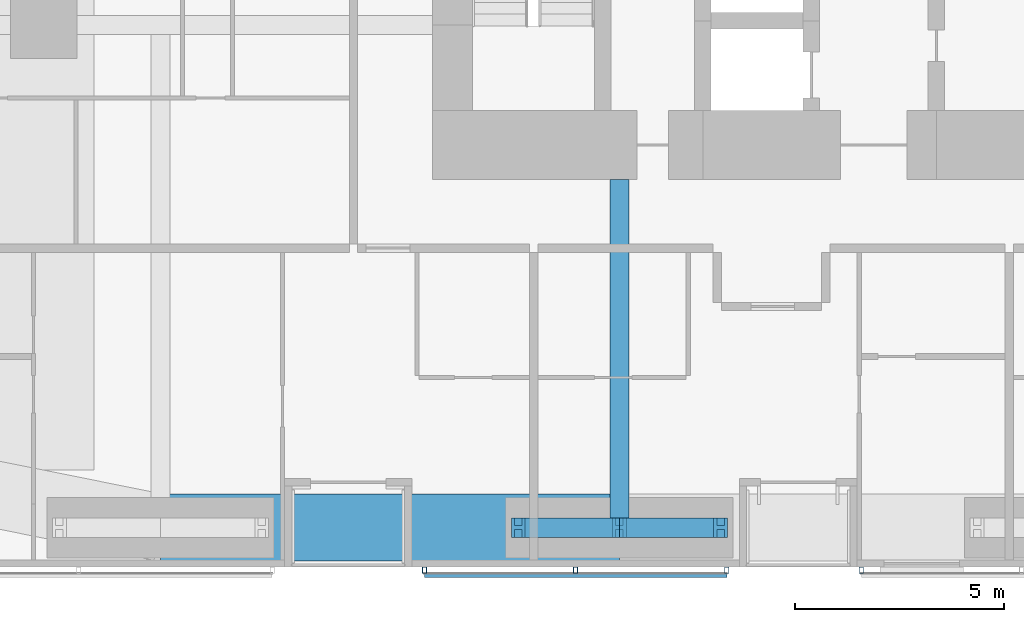
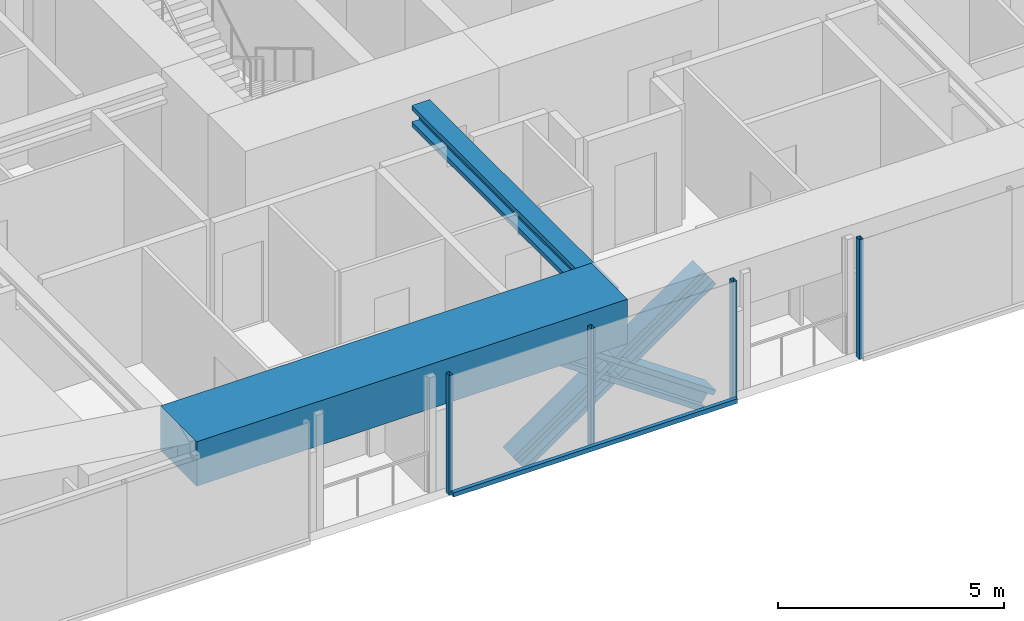
# One storey, part 4 of 23: 9 members, 2 beams, 2 elements without a shape of their own.
"""IFC4 building model written with IfcOpenShell, lengths in metres."""

from ifc_helpers import new_model, si_unit, direction, frame, origin, origin_2d, place, context, subcontext, project, spatial, rectangle, hollow_rectangle, i_section, extrude, material, material_profile, profile_set, type_object, element, aggregate, save


model = new_model("IFC4")

# Units and contexts
model_context = context("Model", 3, precision=1e-05, world=origin(), true_north=direction((0.0, 1.0)))
body_context = subcontext(model_context, "Body", "Model", "MODEL_VIEW")
ifc_project = project(units=[si_unit("LENGTHUNIT", "METRE"), si_unit("AREAUNIT", "SQUARE_METRE"), si_unit("VOLUMEUNIT", "CUBIC_METRE"), si_unit("PLANEANGLEUNIT", "RADIAN"), si_unit("MASSUNIT", "GRAM", prefix="KILO")], contexts=[model_context])

# Site, building, storey
site_placement = place(None, origin())
site = spatial("IfcSite", under=ifc_project, at=site_placement, CompositionType="ELEMENT")
building_placement = place(site_placement, origin())
building = spatial("IfcBuilding", under=site, at=building_placement, Name="Jalousie Tower", CompositionType="ELEMENT")
storey_placement = place(building_placement, frame((0.0, 0.0, 31.050048828125)))
storey = spatial("IfcBuildingStorey", under=building, at=storey_placement, Name="L07", CompositionType="ELEMENT", Elevation=31.050048828125)

# Beam
ifc_material_1 = material(Name="Steel ASTM A992 Grade 50", Category="steel")
ifc_material_profile_1 = material_profile(ifc_material_1, i_section(OverallWidth=0.45458984375, OverallDepth=0.569091796875, WebThickness=0.077880859375, FlangeThickness=0.124755859375, at=origin_2d()), Name="W14X730")
ifc_profile_set_1 = profile_set([ifc_material_profile_1], Name="Steel ASTM A992 Grade 50")
beam_type_1 = type_object("IfcBeamType", Name="LEAN COLLECTOR W14X730", PredefinedType="BEAM", material=ifc_profile_set_1)
beam_1_placement = place(storey_placement, frame((24.0, 0.949951171875, 2.825439453125), z_axis=(0.0, 1.0, 0.0), x_axis=(-1.0, 0.0, 0.0)))
element("IfcBeam", 1, at=beam_1_placement, inside=storey, type_object=beam_type_1, Name="Lean collector under L08", PredefinedType="BEAM", context=body_context, shape_type="SweptSolid", body=[
    extrude(i_section(OverallWidth=0.45458984375, OverallDepth=0.569091796875, WebThickness=0.077880859375, FlangeThickness=0.124755859375, at=origin_2d()), origin(), (0.0, 0.0, 1.0), 8.35009765625),
])

# Members
ifc_material_2 = material(Name="Steel ASTM A992 Grade 50", Category="steel")
ifc_material_profile_2 = material_profile(ifc_material_2, i_section(OverallWidth=0.472412109375, OverallDepth=0.5791015625, WebThickness=0.094970703125, FlangeThickness=0.1298828125, at=origin_2d()), Name="W14X808")
ifc_profile_set_2 = profile_set([ifc_material_profile_2], Name="Steel ASTM A992 Grade 50")
member_type_1 = type_object("IfcMemberType", Name="PERIMETER BRACE W14X808", PredefinedType="BRACE", material=ifc_profile_set_2)
for number, where, z_axis, x_axis, name in (
    (2, (21.574951171875, 0.949951171875, -0.60009765625), (0.822800062329, 0.0, 0.568330940062), (0.0, 1.0, 0.0), "Perimeter brace 03 L07 part 1"),
    (3, (24.0, 0.949951171875, 1.074951171875), (0.822800062329, 0.0, 0.568330940062), (0.0, 1.0, 0.0), "Perimeter brace 03 L07 part 2"),
    (4, (26.425048828125, 0.949951171875, -0.60009765625), (-0.822800062329, 0.0, 0.568330940062), (0.0, -1.0, 0.0), "Perimeter brace 03 L07 part 3"),
    (5, (24.0, 0.949951171875, 1.074951171875), (-0.822800062329, 0.0, 0.568330940062), (0.0, -1.0, 0.0), "Perimeter brace 03 L07 part 4"),
):
    element("IfcMember", number, at=place(storey_placement, frame(where, z_axis=z_axis, x_axis=x_axis)), inside=storey, type_object=member_type_1, Name=name, PredefinedType="BRACE", context=body_context, shape_type="SweptSolid", body=[
        extrude(i_section(OverallWidth=0.472412109375, OverallDepth=0.5791015625, WebThickness=0.094970703125, FlangeThickness=0.1298828125, at=origin_2d()), origin(), (0.0, 0.0, 1.0), 2.947265625),
    ])

# Beam
ifc_material_3 = material(Name="Concrete f'c 40 MPa", Category="concrete")
ifc_material_profile_3 = material_profile(ifc_material_3, rectangle(XDim=1.60009765625, YDim=1.199951171875, at=origin_2d()), Name="RC 1600x1200")
ifc_profile_set_3 = profile_set([ifc_material_profile_3], Name="Concrete f'c 40 MPa")
beam_type_2 = type_object("IfcBeamType", Name="RC BEAM 1600x1200", PredefinedType="BEAM", material=ifc_profile_set_3)
beam_2_placement = place(storey_placement, frame((13.0, 0.949951171875, 2.75), z_axis=(1.0, 0.0, 0.0), x_axis=(0.0, 1.0, 0.0)))
element("IfcBeam", 6, at=beam_2_placement, inside=storey, type_object=beam_type_2, Name="Edge band beam 02-03 under L08", PredefinedType="BEAM", context=body_context, shape_type="SweptSolid", body=[
    extrude(rectangle(XDim=1.60009765625, YDim=1.199951171875, at=origin_2d()), origin(), (0.0, 0.0, 1.0), 11.0),
])

# Curtain wall, members
ifc_material_4 = material(Name="Perforated aluminium sheet", Category="aluminium")
curtain_wall_type = type_object("IfcCurtainWallType", Name="SOLAR SCREEN SS-1", PredefinedType="USERDEFINED", material=ifc_material_4)
curtain_wall_1_placement = place(storey_placement, origin())
curtain_wall_1 = element("IfcCurtainWall", 7, at=curtain_wall_1_placement, inside=storey, type_object=curtain_wall_type, Name="Solar screen L07", ObjectType="SOLAR SCREEN SS-1", PredefinedType="USERDEFINED")
ifc_material_5 = material(Name="Steel ASTM A500 Grade C", Category="steel")
ifc_material_profile_4 = material_profile(ifc_material_5, hollow_rectangle(XDim=0.1015625, YDim=0.15234375, WallThickness=0.00634765625, at=origin_2d()), Name="HSS6X4X1/4")
ifc_profile_set_4 = profile_set([ifc_material_profile_4], Name="Steel ASTM A500 Grade C")
member_type_2 = type_object("IfcMemberType", Name="SOLAR SCREEN SS-1 MULLION", PredefinedType="MULLION", material=ifc_profile_set_4)
member_1_placement = place(storey_placement, frame((19.324951171875, -0.0712890625, -0.1201171875), z_axis=(0.0, 0.0, 1.0), x_axis=(1.0, 0.0, 0.0)))
member_1 = element("IfcMember", 8, at=member_1_placement, type_object=member_type_2, Name="SS1 post 1", PredefinedType="MULLION", context=body_context, shape_type="SweptSolid", body=[
    extrude(hollow_rectangle(XDim=0.1015625, YDim=0.15234375, WallThickness=0.00634765625, at=origin_2d()), origin(), (0.0, 0.0, 1.0), 3.22998046875),
])
member_2_placement = place(storey_placement, frame((22.949951171875, -0.0712890625, -0.1201171875), z_axis=(0.0, 0.0, 1.0), x_axis=(1.0, 0.0, 0.0)))
member_2 = element("IfcMember", 9, at=member_2_placement, type_object=member_type_2, Name="SS1 post 2", PredefinedType="MULLION", context=body_context, shape_type="SweptSolid", body=[
    extrude(hollow_rectangle(XDim=0.1015625, YDim=0.15234375, WallThickness=0.00634765625, at=origin_2d()), origin(), (0.0, 0.0, 1.0), 3.22998046875),
])
member_3_placement = place(storey_placement, frame((26.574951171875, -0.0712890625, -0.1201171875), z_axis=(0.0, 0.0, 1.0), x_axis=(1.0, 0.0, 0.0)))
member_3 = element("IfcMember", 10, at=member_3_placement, type_object=member_type_2, Name="SS1 post 3", PredefinedType="MULLION", context=body_context, shape_type="SweptSolid", body=[
    extrude(hollow_rectangle(XDim=0.1015625, YDim=0.15234375, WallThickness=0.00634765625, at=origin_2d()), origin(), (0.0, 0.0, 1.0), 3.22998046875),
])

# Curtain wall, member
curtain_wall_2_placement = place(storey_placement, origin())
curtain_wall_2 = element("IfcCurtainWall", 11, at=curtain_wall_2_placement, inside=storey, type_object=curtain_wall_type, Name="Solar screen L07", ObjectType="SOLAR SCREEN SS-1", PredefinedType="USERDEFINED")
member_4_placement = place(storey_placement, frame((29.800048828125, -0.0712890625, -0.1201171875), z_axis=(0.0, 0.0, 1.0), x_axis=(1.0, 0.0, 0.0)))
member_4 = element("IfcMember", 12, at=member_4_placement, type_object=member_type_2, Name="SS1 post 1", PredefinedType="MULLION", context=body_context, shape_type="SweptSolid", body=[
    extrude(hollow_rectangle(XDim=0.1015625, YDim=0.15234375, WallThickness=0.00634765625, at=origin_2d()), origin(), (0.0, 0.0, 1.0), 3.22998046875),
])
aggregate(curtain_wall_2, [member_4])

# Member
ifc_material_6 = material(Name="Extruded aluminium screen rail", Category="aluminium")
ifc_material_profile_5 = material_profile(ifc_material_6, rectangle(XDim=0.1015625, YDim=0.1201171875, at=origin_2d()), Name="RAIL 102x120")
ifc_profile_set_5 = profile_set([ifc_material_profile_5], Name="Extruded aluminium screen rail")
member_type_3 = type_object("IfcMemberType", Name="SOLAR SCREEN SS-1 TRANSOM", PredefinedType="USERDEFINED", material=ifc_profile_set_5)
member_5_placement = place(storey_placement, frame((19.324951171875, -0.1982421875, -0.06005859375), z_axis=(1.0, 0.0, 0.0), x_axis=(0.0, 1.0, 0.0)))
member_5 = element("IfcMember", 13, at=member_5_placement, type_object=member_type_3, Name="SS1 rail", ObjectType="TRANSOM", PredefinedType="USERDEFINED", context=body_context, shape_type="SweptSolid", body=[
    extrude(rectangle(XDim=0.1015625, YDim=0.1201171875, at=origin_2d()), origin(), (0.0, 0.0, 1.0), 7.25),
])

aggregate(curtain_wall_1, [member_1, member_2, member_3, member_5])

save(model, "model.ifc")
